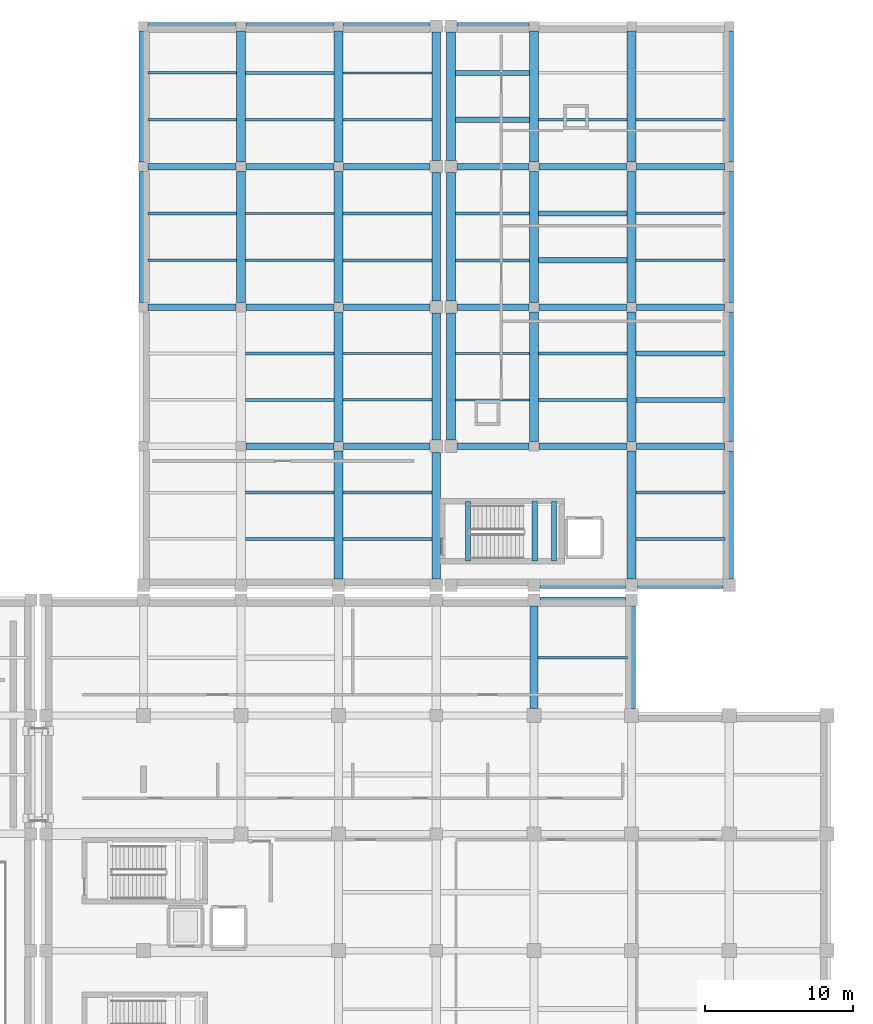
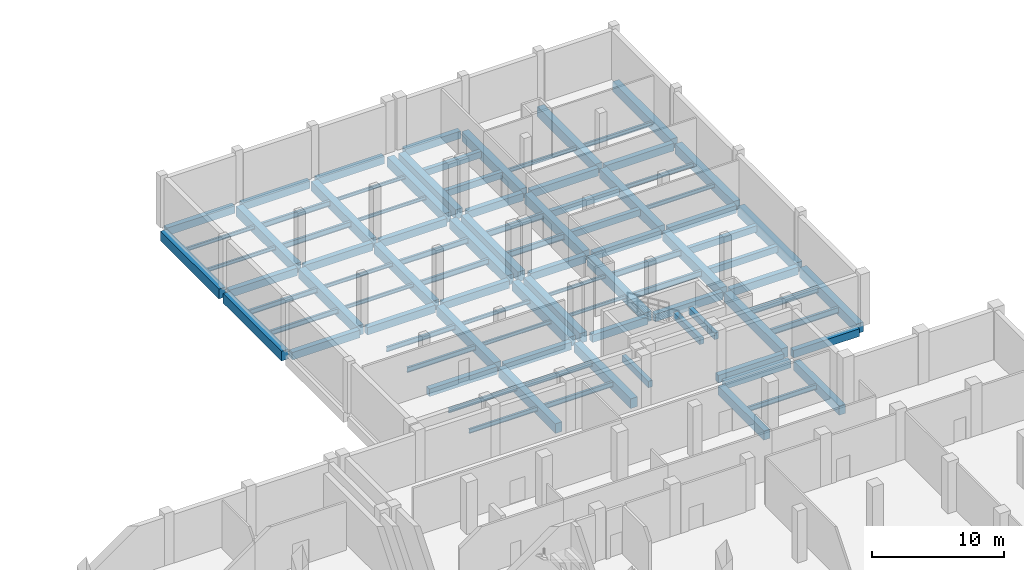
# One storey, part 9 of 31: 94 beams.
"""IFC4 building model written with IfcOpenShell, lengths in metres."""

import ifcopenshell
import ifcopenshell.guid

model = None  # the IFC model being written
_history = None  # IfcOwnerHistory: only IFC2X3 demands one
_inside = {}  # id of a spatial element -> (the spatial element, [elements in it])
_under = {}  # id of a project, library or spatial element -> (it, [spatial elements below it])
_declared = {}  # id of a project -> (the project, [libraries it declares])
_typed = {}  # id of a type object -> (the type object, [elements of that type])
_made_of = {}  # id of a material, layer set ... -> (it, [elements and type objects made of it])


def new_model(schema):
    """Start an empty IFC model of exactly this schema.

    Asked for "IFC4X3", IfcOpenShell would pick the latest addendum, in which some entities
    have other attributes; the version numbers below select the first issue.
    IFC2X3 requires an IfcOwnerHistory on every rooted entity: one is made here for all.
    """
    global model, _history
    if schema == "IFC4X3":
        model = ifcopenshell.file(schema_version=(4, 3, 0, 0))
    else:
        model = ifcopenshell.file(schema=schema)
    _inside.clear()
    _under.clear()
    _declared.clear()
    _typed.clear()
    _made_of.clear()
    _history = None
    if model.schema == "IFC2X3":
        org = make("IfcOrganization", Name="unknown")
        user = make(
            "IfcPersonAndOrganization",
            ThePerson=make("IfcPerson", FamilyName="unknown"),
            TheOrganization=org,
        )
        app = make(
            "IfcApplication",
            ApplicationDeveloper=org,
            Version="unknown",
            ApplicationFullName="unknown",
            ApplicationIdentifier="unknown",
        )
        _history = make(
            "IfcOwnerHistory",
            OwningUser=user,
            OwningApplication=app,
            ChangeAction="ADDED",
            CreationDate=0,
        )
    return model


def make(cls, **values):
    """One entity of the class cls with the attributes given. An attribute that is None is left unset."""
    return model.create_entity(
        cls, **{name: value for name, value in values.items() if value is not None}
    )


def rooted(cls, **values):
    """An entity with a GlobalId (a new one), such as an element, a storey or a relation."""
    return make(cls, GlobalId=ifcopenshell.guid.new(), OwnerHistory=_history, **values)


def si_unit(unit_type, name, prefix=None):
    """IfcSIUnit, for example si_unit("LENGTHUNIT", "METRE", prefix="MILLI")."""
    return make("IfcSIUnit", UnitType=unit_type, Prefix=prefix, Name=name)


def assignment(units):
    """IfcUnitAssignment: the units of a project."""
    return None if units is None else make("IfcUnitAssignment", Units=units)


def point(xyz):
    """IfcCartesianPoint."""
    return None if xyz is None else make("IfcCartesianPoint", Coordinates=xyz)


def direction(xyz):
    """IfcDirection."""
    return None if xyz is None else make("IfcDirection", DirectionRatios=xyz)


def frame(location, z_axis=None, x_axis=None):
    """IfcAxis2Placement3D, a coordinate frame: its origin and axes. An axis left out is left unset."""
    return make(
        "IfcAxis2Placement3D",
        Location=point(location),
        Axis=direction(z_axis),
        RefDirection=direction(x_axis),
    )


def frame_2d(location, x_axis=None):
    """IfcAxis2Placement2D, a coordinate frame in the plane: its origin and x axis."""
    return make(
        "IfcAxis2Placement2D", Location=point(location), RefDirection=direction(x_axis)
    )


def origin():
    """The frame at (0, 0, 0) with its axes left unset."""
    return frame((0.0, 0.0, 0.0))


def origin_2d():
    """The frame at (0, 0) in the plane with its x axis left unset."""
    return frame_2d((0.0, 0.0))


def place(relative_to, where):
    """IfcLocalPlacement: puts the frame where relative to a parent placement (None: the world)."""
    return make(
        "IfcLocalPlacement", PlacementRelTo=relative_to, RelativePlacement=where
    )


def context(
    kind, dimensions, precision=None, world=None, true_north=None, identifier=None
):
    """IfcGeometricRepresentationContext, for example the 3D "Model" context."""
    return make(
        "IfcGeometricRepresentationContext",
        ContextIdentifier=identifier,
        ContextType=kind,
        CoordinateSpaceDimension=dimensions,
        Precision=precision,
        WorldCoordinateSystem=world,
        TrueNorth=true_north,
    )


def subcontext(parent, identifier, kind, view, scale=None):
    """IfcGeometricRepresentationSubContext, for example "Body" below "Model"."""
    return make(
        "IfcGeometricRepresentationSubContext",
        ContextIdentifier=identifier,
        ContextType=kind,
        ParentContext=parent,
        TargetScale=scale,
        TargetView=view,
    )


def project(units=None, contexts=None):
    """IfcProject with its units and contexts."""
    return rooted(
        "IfcProject",
        Name="project",
        RepresentationContexts=contexts,
        UnitsInContext=assignment(units),
    )


def spatial(cls, under=None, at=None, **own):
    """A site, building, storey or space (cls), placed at a placement, below another one or the project."""
    s = rooted(cls, ObjectPlacement=at, **own)
    if under is not None:
        _under.setdefault(under.id(), (under, []))[1].append(s)
    return s


def profile(cls, at=None, kind="AREA", **sizes):
    """A parametric profile (cls). Its sizes go by their IFC names, for example OverallWidth=200.0."""
    return make(cls, ProfileType=kind, Position=at, **sizes)


def rectangle(**sizes):
    """IfcRectangleProfileDef."""
    return profile("IfcRectangleProfileDef", **sizes)


def i_section(**sizes):
    """IfcIShapeProfileDef."""
    return profile("IfcIShapeProfileDef", **sizes)


def extrude(swept, where, along, depth):
    """IfcExtrudedAreaSolid: the profile swept, set in the frame where, extruded along a direction by depth."""
    return make(
        "IfcExtrudedAreaSolid",
        SweptArea=swept,
        Position=where,
        ExtrudedDirection=direction(along),
        Depth=depth,
    )


def shape(context_of_items, identifier, shape_type, items):
    """IfcShapeRepresentation: the items that make up one representation, for example the "Body"."""
    return make(
        "IfcShapeRepresentation",
        ContextOfItems=context_of_items,
        RepresentationIdentifier=identifier,
        RepresentationType=shape_type,
        Items=items,
    )


def material(Name=None, Category=None):
    """IfcMaterial."""
    return make("IfcMaterial", Name=Name, Category=Category)


def material_profile(
    of_material, cross_section, Name=None, Category=None, Priority=None
):
    """IfcMaterialProfile: a cross section and its material."""
    return make(
        "IfcMaterialProfile",
        Name=Name,
        Material=of_material,
        Profile=cross_section,
        Priority=Priority,
        Category=Category,
    )


def profile_set(profiles, Name=None, composite=None):
    """IfcMaterialProfileSet."""
    return make(
        "IfcMaterialProfileSet",
        Name=Name,
        MaterialProfiles=profiles,
        CompositeProfile=composite,
    )


def made_of(thing, what):
    """Note that an element or type object is made of a material, layer set ...; save() writes the relation."""
    if what is not None:
        _made_of.setdefault(what.id(), (what, []))[1].append(thing)
    return thing


def type_object(cls, material=None, **own):
    """A type object (cls), such as IfcWallType, which elements share."""
    return made_of(rooted(cls, **own), material)


def element(
    cls,
    number,
    at=None,
    inside=None,
    cuts=None,
    type_object=None,
    material=None,
    context=None,
    identifier="Body",
    shape_type=None,
    held_by="IfcProductDefinitionShape",
    body=None,
    shapes=None,
    **own,
):
    """One element of the class cls, such as IfcWall. Its Tag is "e" and its number.

    at: its placement. inside: the storey or other place that contains it. cuts: it is an
    opening in that element (IfcRelVoidsElement). A single representation is given by context,
    identifier, shape_type and body (its items); several are given by shapes. held_by: the class
    of the entity that holds the representations. save() writes the other relations.
    """
    e = rooted(cls, Tag="e%d" % number, ObjectPlacement=at, **own)
    if body is not None:
        shapes = [shape(context, identifier, shape_type, body)]
    if shapes is not None:
        e.Representation = make(held_by, Representations=shapes)
    if inside is not None:
        _inside.setdefault(inside.id(), (inside, []))[1].append(e)
    if cuts is not None:
        rooted(
            "IfcRelVoidsElement", RelatingBuildingElement=cuts, RelatedOpeningElement=e
        )
    if type_object is not None:
        _typed.setdefault(type_object.id(), (type_object, []))[1].append(e)
    return made_of(e, material)


def aggregate(whole, parts):
    """IfcRelAggregates: a whole, such as a stair, and the parts it consists of."""
    return rooted("IfcRelAggregates", RelatingObject=whole, RelatedObjects=parts)


def save(model, path):
    """Write the relations noted so far, then the file.

    IfcRelAggregates (storeys below a building ...), IfcRelContainedInSpatialStructure (elements
    in a storey), IfcRelDefinesByType, IfcRelAssociatesMaterial and IfcRelDeclares: one each for
    every whole, place, type object, material and project.
    """
    for whole, parts in _under.values():
        aggregate(whole, parts)
    for where, things in _inside.values():
        rooted(
            "IfcRelContainedInSpatialStructure",
            RelatedElements=things,
            RelatingStructure=where,
        )
    for kind, things in _typed.values():
        rooted("IfcRelDefinesByType", RelatedObjects=things, RelatingType=kind)
    for what, things in _made_of.values():
        rooted("IfcRelAssociatesMaterial", RelatedObjects=things, RelatingMaterial=what)
    for by, libraries in _declared.values():
        rooted("IfcRelDeclares", RelatingContext=by, RelatedDefinitions=libraries)
    model.write(path)


model = new_model("IFC4")

# Units and contexts
model_context = context("Model", 3, precision=1e-05, world=origin(), true_north=direction((0.0, 1.0)))
body_context = subcontext(model_context, "Body", "Model", "MODEL_VIEW")
ifc_project = project(units=[si_unit("LENGTHUNIT", "METRE"), si_unit("AREAUNIT", "SQUARE_METRE"), si_unit("VOLUMEUNIT", "CUBIC_METRE"), si_unit("PLANEANGLEUNIT", "RADIAN"), si_unit("MASSUNIT", "GRAM", prefix="KILO")], contexts=[model_context])

# Site, building, storey
site_placement = place(None, origin())
site = spatial("IfcSite", under=ifc_project, at=site_placement, CompositionType="ELEMENT")
building_placement = place(site_placement, origin())
building = spatial("IfcBuilding", under=site, at=building_placement, Name="Kelarvand Opera House", CompositionType="ELEMENT")
storey_placement = place(building_placement, frame((0.0, 0.0, -4.800048828125)))
storey = spatial("IfcBuildingStorey", under=building, at=storey_placement, Name="B1", CompositionType="ELEMENT", Elevation=-4.800048828125)

# Beams
ifc_material_1 = material(Name="Concrete C35/45", Category="concrete")
ifc_material_profile_1 = material_profile(ifc_material_1, rectangle(XDim=0.35009765625, YDim=0.60009765625, at=origin_2d()), Name="RC 350x600", Category="concrete")
ifc_profile_set_1 = profile_set([ifc_material_profile_1], Name="Concrete C35/45")
beam_type_1 = type_object("IfcBeamType", Name="Structural Beam RC 350x600 BM-RC350x600", PredefinedType="BEAM", material=ifc_profile_set_1)
for number, where, z_axis, x_axis, name in (
    (1, (116.699951171875, 118.666748046875, -0.599853515625), (1.0, 0.0, 0.0), (0.0, 1.0, 0.0), "V5 B1 Beam BM-RC350x600"),
    (2, (116.699951171875, 121.833251953125, -0.599853515625), (1.0, 0.0, 0.0), (0.0, 1.0, 0.0), "V5 B1 Beam BM-RC350x600"),
):
    element("IfcBeam", number, at=place(storey_placement, frame(where, z_axis=z_axis, x_axis=x_axis)), inside=storey, type_object=beam_type_1, Name=name, PredefinedType="BEAM", context=body_context, shape_type="SweptSolid", body=[
        extrude(rectangle(XDim=0.35009765625, YDim=0.60009765625, at=origin_2d()), origin(), (0.0, 0.0, 1.0), 5.0),
    ])
for number, where, z_axis, x_axis, name in (
    (3, (122.300048828125, 109.166748046875, -0.599853515625), (1.0, 0.0, 0.0), (0.0, 1.0, 0.0), "V5 B1 Beam BM-RC350x600"),
    (4, (122.300048828125, 112.333251953125, -0.599853515625), (1.0, 0.0, 0.0), (0.0, 1.0, 0.0), "V5 B1 Beam BM-RC350x600"),
    (5, (128.89990234375, 99.7333984375, -0.599853515625), (1.0, 0.0, 0.0), (0.0, 1.0, 0.0), "V5 B1 Beam BM-RC350x600"),
    (6, (128.89990234375, 102.86669921875, -0.599853515625), (1.0, 0.0, 0.0), (0.0, 1.0, 0.0), "V5 B1 Beam BM-RC350x600"),
):
    element("IfcBeam", number, at=place(storey_placement, frame(where, z_axis=z_axis, x_axis=x_axis)), inside=storey, type_object=beam_type_1, Name=name, PredefinedType="BEAM", context=body_context, shape_type="SweptSolid", body=[
        extrude(rectangle(XDim=0.35009765625, YDim=0.60009765625, at=origin_2d()), origin(), (0.0, 0.0, 1.0), 6.0),
    ])
for number, where, z_axis, x_axis, name in (
    (7, (117.5400390625, 88.85009765625, -0.52001953125), (0.0, 1.0, 0.0), (-1.0, 0.0, 0.0), "C7 Stair Landing Support Beam B1"),
    (8, (122.050048828125, 88.85009765625, 1.900146484375), (0.0, 1.0, 0.0), (-1.0, 0.0, 0.0), "C7 Stair Half-Landing Beam 1 B1"),
    (9, (123.35009765625, 88.85009765625, 1.900146484375), (0.0, 1.0, 0.0), (-1.0, 0.0, 0.0), "C7 Stair Half-Landing Beam 2 B1"),
):
    element("IfcBeam", number, at=place(storey_placement, frame(where, z_axis=z_axis, x_axis=x_axis)), inside=storey, type_object=beam_type_1, Name=name, PredefinedType="BEAM", context=body_context, shape_type="SweptSolid", body=[
        extrude(rectangle(XDim=0.35009765625, YDim=0.60009765625, at=origin_2d()), origin(), (0.0, 0.0, 1.0), 4.0),
    ])
ifc_material_2 = material(Name="Concrete C40/50", Category="concrete")
ifc_material_profile_2 = material_profile(ifc_material_2, rectangle(XDim=0.449951171875, YDim=0.699951171875, at=origin_2d()), Name="RC 450x700", Category="concrete")
ifc_profile_set_2 = profile_set([ifc_material_profile_2], Name="Concrete C40/50")
beam_type_2 = type_object("IfcBeamType", Name="Structural Beam RC 450x700 BM-RC450x700", PredefinedType="BEAM", material=ifc_profile_set_2)
for number, where, z_axis, x_axis, name in (
    (10, (122.409912109375, 86.199951171875, -0.64990234375), (1.0, 0.0, 0.0), (0.0, 1.0, 0.0), "V1 B1 Beam BM-RC450x700"),
    (11, (122.409912109375, 87.199951171875, -0.64990234375), (1.0, 0.0, 0.0), (0.0, 1.0, 0.0), "V5 B1 Beam BM-RC450x700"),
    (12, (129.010009765625, 87.199951171875, -0.64990234375), (1.0, 0.0, 0.0), (0.0, 1.0, 0.0), "V5 B1 Beam BM-RC450x700"),
):
    element("IfcBeam", number, at=place(storey_placement, frame(where, z_axis=z_axis, x_axis=x_axis)), inside=storey, type_object=beam_type_2, Name=name, PredefinedType="BEAM", context=body_context, shape_type="SweptSolid", body=[
        extrude(rectangle(XDim=0.449951171875, YDim=0.699951171875, at=origin_2d()), origin(), (0.0, 0.0, 1.0), 5.780029296875),
    ])
beam_1_placement = place(storey_placement, frame((102.52490234375, 96.60009765625, -0.64990234375), z_axis=(1.0, 0.0, 0.0), x_axis=(0.0, 1.0, 0.0)))
element("IfcBeam", 13, at=beam_1_placement, inside=storey, type_object=beam_type_2, Name="V5 B1 Beam BM-RC450x700", PredefinedType="BEAM", context=body_context, shape_type="SweptSolid", body=[
    extrude(rectangle(XDim=0.449951171875, YDim=0.699951171875, at=origin_2d()), origin(), (0.0, 0.0, 1.0), 5.9501953125),
])
beam_2_placement = place(storey_placement, frame((109.125, 96.60009765625, -0.64990234375), z_axis=(1.0, 0.0, 0.0), x_axis=(0.0, 1.0, 0.0)))
element("IfcBeam", 14, at=beam_2_placement, inside=storey, type_object=beam_type_2, Name="V5 B1 Beam BM-RC450x700", PredefinedType="BEAM", context=body_context, shape_type="SweptSolid", body=[
    extrude(rectangle(XDim=0.449951171875, YDim=0.699951171875, at=origin_2d()), origin(), (0.0, 0.0, 1.0), 5.864990234375),
])
beam_3_placement = place(storey_placement, frame((116.81005859375, 96.60009765625, -0.64990234375), z_axis=(1.0, 0.0, 0.0), x_axis=(0.0, 1.0, 0.0)))
element("IfcBeam", 15, at=beam_3_placement, inside=storey, type_object=beam_type_2, Name="V5 B1 Beam BM-RC450x700", PredefinedType="BEAM", context=body_context, shape_type="SweptSolid", body=[
    extrude(rectangle(XDim=0.449951171875, YDim=0.699951171875, at=origin_2d()), origin(), (0.0, 0.0, 1.0), 4.864990234375),
])
for number, where, z_axis, x_axis, name in (
    (16, (122.324951171875, 96.60009765625, -0.64990234375), (1.0, 0.0, 0.0), (0.0, 1.0, 0.0), "V5 B1 Beam BM-RC450x700"),
    (17, (128.925048828125, 96.60009765625, -0.64990234375), (1.0, 0.0, 0.0), (0.0, 1.0, 0.0), "V5 B1 Beam BM-RC450x700"),
    (18, (95.925048828125, 106.0, -0.64990234375), (1.0, 0.0, 0.0), (0.0, 1.0, 0.0), "V5 B1 Beam BM-RC450x700"),
):
    element("IfcBeam", number, at=place(storey_placement, frame(where, z_axis=z_axis, x_axis=x_axis)), inside=storey, type_object=beam_type_2, Name=name, PredefinedType="BEAM", context=body_context, shape_type="SweptSolid", body=[
        extrude(rectangle(XDim=0.449951171875, YDim=0.699951171875, at=origin_2d()), origin(), (0.0, 0.0, 1.0), 5.949951171875),
    ])
beam_4_placement = place(storey_placement, frame((102.52490234375, 106.0, -0.64990234375), z_axis=(1.0, 0.0, 0.0), x_axis=(0.0, 1.0, 0.0)))
element("IfcBeam", 19, at=beam_4_placement, inside=storey, type_object=beam_type_2, Name="V5 B1 Beam BM-RC450x700", PredefinedType="BEAM", context=body_context, shape_type="SweptSolid", body=[
    extrude(rectangle(XDim=0.449951171875, YDim=0.699951171875, at=origin_2d()), origin(), (0.0, 0.0, 1.0), 5.9501953125),
])
beam_5_placement = place(storey_placement, frame((109.125, 106.0, -0.64990234375), z_axis=(1.0, 0.0, 0.0), x_axis=(0.0, 1.0, 0.0)))
element("IfcBeam", 20, at=beam_5_placement, inside=storey, type_object=beam_type_2, Name="V5 B1 Beam BM-RC450x700", PredefinedType="BEAM", context=body_context, shape_type="SweptSolid", body=[
    extrude(rectangle(XDim=0.449951171875, YDim=0.699951171875, at=origin_2d()), origin(), (0.0, 0.0, 1.0), 5.864990234375),
])
beam_6_placement = place(storey_placement, frame((116.81005859375, 106.0, -0.64990234375), z_axis=(1.0, 0.0, 0.0), x_axis=(0.0, 1.0, 0.0)))
element("IfcBeam", 21, at=beam_6_placement, inside=storey, type_object=beam_type_2, Name="V5 B1 Beam BM-RC450x700", PredefinedType="BEAM", context=body_context, shape_type="SweptSolid", body=[
    extrude(rectangle(XDim=0.449951171875, YDim=0.699951171875, at=origin_2d()), origin(), (0.0, 0.0, 1.0), 4.864990234375),
])
for number, where, z_axis, x_axis, name in (
    (22, (122.324951171875, 106.0, -0.64990234375), (1.0, 0.0, 0.0), (0.0, 1.0, 0.0), "V5 B1 Beam BM-RC450x700"),
    (23, (128.925048828125, 106.0, -0.64990234375), (1.0, 0.0, 0.0), (0.0, 1.0, 0.0), "V5 B1 Beam BM-RC450x700"),
    (24, (95.925048828125, 115.5, -0.64990234375), (1.0, 0.0, 0.0), (0.0, 1.0, 0.0), "V5 B1 Beam BM-RC450x700"),
):
    element("IfcBeam", number, at=place(storey_placement, frame(where, z_axis=z_axis, x_axis=x_axis)), inside=storey, type_object=beam_type_2, Name=name, PredefinedType="BEAM", context=body_context, shape_type="SweptSolid", body=[
        extrude(rectangle(XDim=0.449951171875, YDim=0.699951171875, at=origin_2d()), origin(), (0.0, 0.0, 1.0), 5.949951171875),
    ])
beam_7_placement = place(storey_placement, frame((102.52490234375, 115.5, -0.64990234375), z_axis=(1.0, 0.0, 0.0), x_axis=(0.0, 1.0, 0.0)))
element("IfcBeam", 25, at=beam_7_placement, inside=storey, type_object=beam_type_2, Name="V5 B1 Beam BM-RC450x700", PredefinedType="BEAM", context=body_context, shape_type="SweptSolid", body=[
    extrude(rectangle(XDim=0.449951171875, YDim=0.699951171875, at=origin_2d()), origin(), (0.0, 0.0, 1.0), 5.9501953125),
])
beam_8_placement = place(storey_placement, frame((109.125, 115.5, -0.64990234375), z_axis=(1.0, 0.0, 0.0), x_axis=(0.0, 1.0, 0.0)))
element("IfcBeam", 26, at=beam_8_placement, inside=storey, type_object=beam_type_2, Name="V5 B1 Beam BM-RC450x700", PredefinedType="BEAM", context=body_context, shape_type="SweptSolid", body=[
    extrude(rectangle(XDim=0.449951171875, YDim=0.699951171875, at=origin_2d()), origin(), (0.0, 0.0, 1.0), 5.864990234375),
])
beam_9_placement = place(storey_placement, frame((116.81005859375, 115.5, -0.64990234375), z_axis=(1.0, 0.0, 0.0), x_axis=(0.0, 1.0, 0.0)))
element("IfcBeam", 27, at=beam_9_placement, inside=storey, type_object=beam_type_2, Name="V5 B1 Beam BM-RC450x700", PredefinedType="BEAM", context=body_context, shape_type="SweptSolid", body=[
    extrude(rectangle(XDim=0.449951171875, YDim=0.699951171875, at=origin_2d()), origin(), (0.0, 0.0, 1.0), 4.864990234375),
])
for number, where, z_axis, x_axis, name in (
    (28, (122.324951171875, 115.5, -0.64990234375), (1.0, 0.0, 0.0), (0.0, 1.0, 0.0), "V5 B1 Beam BM-RC450x700"),
    (29, (128.925048828125, 115.5, -0.64990234375), (1.0, 0.0, 0.0), (0.0, 1.0, 0.0), "V5 B1 Beam BM-RC450x700"),
    (30, (95.925048828125, 125.0, -0.64990234375), (1.0, 0.0, 0.0), (0.0, 1.0, 0.0), "V5 B1 Beam BM-RC450x700"),
):
    element("IfcBeam", number, at=place(storey_placement, frame(where, z_axis=z_axis, x_axis=x_axis)), inside=storey, type_object=beam_type_2, Name=name, PredefinedType="BEAM", context=body_context, shape_type="SweptSolid", body=[
        extrude(rectangle(XDim=0.449951171875, YDim=0.699951171875, at=origin_2d()), origin(), (0.0, 0.0, 1.0), 5.949951171875),
    ])
beam_10_placement = place(storey_placement, frame((102.52490234375, 125.0, -0.64990234375), z_axis=(1.0, 0.0, 0.0), x_axis=(0.0, 1.0, 0.0)))
element("IfcBeam", 31, at=beam_10_placement, inside=storey, type_object=beam_type_2, Name="V5 B1 Beam BM-RC450x700", PredefinedType="BEAM", context=body_context, shape_type="SweptSolid", body=[
    extrude(rectangle(XDim=0.449951171875, YDim=0.699951171875, at=origin_2d()), origin(), (0.0, 0.0, 1.0), 5.9501953125),
])
beam_11_placement = place(storey_placement, frame((109.125, 125.0, -0.64990234375), z_axis=(1.0, 0.0, 0.0), x_axis=(0.0, 1.0, 0.0)))
element("IfcBeam", 32, at=beam_11_placement, inside=storey, type_object=beam_type_2, Name="V5 B1 Beam BM-RC450x700", PredefinedType="BEAM", context=body_context, shape_type="SweptSolid", body=[
    extrude(rectangle(XDim=0.449951171875, YDim=0.699951171875, at=origin_2d()), origin(), (0.0, 0.0, 1.0), 5.864990234375),
])
beam_12_placement = place(storey_placement, frame((116.81005859375, 125.0, -0.64990234375), z_axis=(1.0, 0.0, 0.0), x_axis=(0.0, 1.0, 0.0)))
element("IfcBeam", 33, at=beam_12_placement, inside=storey, type_object=beam_type_2, Name="V5 B1 Beam BM-RC450x700", PredefinedType="BEAM", context=body_context, shape_type="SweptSolid", body=[
    extrude(rectangle(XDim=0.449951171875, YDim=0.699951171875, at=origin_2d()), origin(), (0.0, 0.0, 1.0), 4.864990234375),
])
ifc_material_profile_3 = material_profile(ifc_material_2, rectangle(XDim=0.550048828125, YDim=0.85009765625, at=origin_2d()), Name="RC 550x850", Category="concrete")
ifc_profile_set_3 = profile_set([ifc_material_profile_3], Name="Concrete C40/50")
beam_type_3 = type_object("IfcBeamType", Name="Structural Beam RC 550x850 BM-RC550x850", PredefinedType="BEAM", material=ifc_profile_set_3)
for number, where, z_axis, x_axis, name in (
    (34, (122.0, 78.875, -0.724853515625), (0.0, 1.0, 0.0), (-1.0, 0.0, 0.0), "V1 B1 Beam BM-RC550x850"),
    (35, (128.60009765625, 78.875, -0.724853515625), (0.0, 1.0, 0.0), (-1.0, 0.0, 0.0), "V1 B1 Beam BM-RC550x850"),
):
    element("IfcBeam", number, at=place(storey_placement, frame(where, z_axis=z_axis, x_axis=x_axis)), inside=storey, type_object=beam_type_3, Name=name, PredefinedType="BEAM", context=body_context, shape_type="SweptSolid", body=[
        extrude(rectangle(XDim=0.550048828125, YDim=0.85009765625, at=origin_2d()), origin(), (0.0, 0.0, 1.0), 6.9150390625),
    ])
ifc_material_profile_4 = material_profile(ifc_material_2, rectangle(XDim=0.60009765625, YDim=0.89990234375, at=origin_2d()), Name="RC 600x900", Category="concrete")
ifc_profile_set_4 = profile_set([ifc_material_profile_4], Name="Concrete C40/50")
beam_type_4 = type_object("IfcBeamType", Name="Structural Beam RC 600x900 BM-RC600x900", PredefinedType="BEAM", material=ifc_profile_set_4)
for number, where, z_axis, x_axis, name in (
    (36, (95.60009765625, 106.324951171875, -0.75), (0.0, 1.0, 0.0), (-1.0, 0.0, 0.0), "V5 B1 Beam BM-RC600x900"),
    (37, (95.60009765625, 115.824951171875, -0.75), (0.0, 1.0, 0.0), (-1.0, 0.0, 0.0), "V5 B1 Beam BM-RC600x900"),
    (38, (102.199951171875, 106.324951171875, -0.75), (0.0, 1.0, 0.0), (-1.0, 0.0, 0.0), "V5 B1 Beam BM-RC600x900"),
    (39, (102.199951171875, 115.824951171875, -0.75), (0.0, 1.0, 0.0), (-1.0, 0.0, 0.0), "V5 B1 Beam BM-RC600x900"),
):
    element("IfcBeam", number, at=place(storey_placement, frame(where, z_axis=z_axis, x_axis=x_axis)), inside=storey, type_object=beam_type_4, Name=name, PredefinedType="BEAM", context=body_context, shape_type="SweptSolid", body=[
        extrude(rectangle(XDim=0.60009765625, YDim=0.89990234375, at=origin_2d()), origin(), (0.0, 0.0, 1.0), 8.85009765625),
    ])
beam_13_placement = place(storey_placement, frame((108.800048828125, 87.610107421875, -0.75), z_axis=(0.0, 1.0, 0.0), x_axis=(-1.0, 0.0, 0.0)))
element("IfcBeam", 40, at=beam_13_placement, inside=storey, type_object=beam_type_4, Name="V5 B1 Beam BM-RC600x900", PredefinedType="BEAM", context=body_context, shape_type="SweptSolid", body=[
    extrude(rectangle(XDim=0.60009765625, YDim=0.89990234375, at=origin_2d()), origin(), (0.0, 0.0, 1.0), 8.664794921875),
])
beam_14_placement = place(storey_placement, frame((108.800048828125, 96.925048828125, -0.75), z_axis=(0.0, 1.0, 0.0), x_axis=(-1.0, 0.0, 0.0)))
element("IfcBeam", 41, at=beam_14_placement, inside=storey, type_object=beam_type_4, Name="V5 B1 Beam BM-RC600x900", PredefinedType="BEAM", context=body_context, shape_type="SweptSolid", body=[
    extrude(rectangle(XDim=0.60009765625, YDim=0.89990234375, at=origin_2d()), origin(), (0.0, 0.0, 1.0), 8.75),
])
for number, where, z_axis, x_axis, name in (
    (42, (108.800048828125, 106.324951171875, -0.75), (0.0, 1.0, 0.0), (-1.0, 0.0, 0.0), "V5 B1 Beam BM-RC600x900"),
    (43, (108.800048828125, 115.824951171875, -0.75), (0.0, 1.0, 0.0), (-1.0, 0.0, 0.0), "V5 B1 Beam BM-RC600x900"),
):
    element("IfcBeam", number, at=place(storey_placement, frame(where, z_axis=z_axis, x_axis=x_axis)), inside=storey, type_object=beam_type_4, Name=name, PredefinedType="BEAM", context=body_context, shape_type="SweptSolid", body=[
        extrude(rectangle(XDim=0.60009765625, YDim=0.89990234375, at=origin_2d()), origin(), (0.0, 0.0, 1.0), 8.85009765625),
    ])
beam_15_placement = place(storey_placement, frame((115.39990234375, 87.610107421875, -0.75), z_axis=(0.0, 1.0, 0.0), x_axis=(-1.0, 0.0, 0.0)))
element("IfcBeam", 44, at=beam_15_placement, inside=storey, type_object=beam_type_4, Name="V5 B1 Beam BM-RC600x900", PredefinedType="BEAM", context=body_context, shape_type="SweptSolid", body=[
    extrude(rectangle(XDim=0.60009765625, YDim=0.89990234375, at=origin_2d()), origin(), (0.0, 0.0, 1.0), 8.579833984375),
])
beam_16_placement = place(storey_placement, frame((115.39990234375, 97.010009765625, -0.75), z_axis=(0.0, 1.0, 0.0), x_axis=(-1.0, 0.0, 0.0)))
element("IfcBeam", 45, at=beam_16_placement, inside=storey, type_object=beam_type_4, Name="V5 B1 Beam BM-RC600x900", PredefinedType="BEAM", context=body_context, shape_type="SweptSolid", body=[
    extrude(rectangle(XDim=0.60009765625, YDim=0.89990234375, at=origin_2d()), origin(), (0.0, 0.0, 1.0), 8.580078125),
])
for number, where, z_axis, x_axis, name in (
    (46, (115.39990234375, 106.409912109375, -0.75), (0.0, 1.0, 0.0), (-1.0, 0.0, 0.0), "V5 B1 Beam BM-RC600x900"),
    (47, (115.39990234375, 115.909912109375, -0.75), (0.0, 1.0, 0.0), (-1.0, 0.0, 0.0), "V5 B1 Beam BM-RC600x900"),
):
    element("IfcBeam", number, at=place(storey_placement, frame(where, z_axis=z_axis, x_axis=x_axis)), inside=storey, type_object=beam_type_4, Name=name, PredefinedType="BEAM", context=body_context, shape_type="SweptSolid", body=[
        extrude(rectangle(XDim=0.60009765625, YDim=0.89990234375, at=origin_2d()), origin(), (0.0, 0.0, 1.0), 8.68017578125),
    ])
beam_17_placement = place(storey_placement, frame((116.39990234375, 97.010009765625, -0.75), z_axis=(0.0, 1.0, 0.0), x_axis=(-1.0, 0.0, 0.0)))
element("IfcBeam", 48, at=beam_17_placement, inside=storey, type_object=beam_type_4, Name="V5 B1 Beam BM-RC600x900", PredefinedType="BEAM", context=body_context, shape_type="SweptSolid", body=[
    extrude(rectangle(XDim=0.60009765625, YDim=0.89990234375, at=origin_2d()), origin(), (0.0, 0.0, 1.0), 8.580078125),
])
for number, where, z_axis, x_axis, name in (
    (49, (116.39990234375, 106.409912109375, -0.75), (0.0, 1.0, 0.0), (-1.0, 0.0, 0.0), "V5 B1 Beam BM-RC600x900"),
    (50, (116.39990234375, 115.909912109375, -0.75), (0.0, 1.0, 0.0), (-1.0, 0.0, 0.0), "V5 B1 Beam BM-RC600x900"),
):
    element("IfcBeam", number, at=place(storey_placement, frame(where, z_axis=z_axis, x_axis=x_axis)), inside=storey, type_object=beam_type_4, Name=name, PredefinedType="BEAM", context=body_context, shape_type="SweptSolid", body=[
        extrude(rectangle(XDim=0.60009765625, YDim=0.89990234375, at=origin_2d()), origin(), (0.0, 0.0, 1.0), 8.68017578125),
    ])
beam_18_placement = place(storey_placement, frame((122.0, 96.925048828125, -0.75), z_axis=(0.0, 1.0, 0.0), x_axis=(-1.0, 0.0, 0.0)))
element("IfcBeam", 51, at=beam_18_placement, inside=storey, type_object=beam_type_4, Name="V5 B1 Beam BM-RC600x900", PredefinedType="BEAM", context=body_context, shape_type="SweptSolid", body=[
    extrude(rectangle(XDim=0.60009765625, YDim=0.89990234375, at=origin_2d()), origin(), (0.0, 0.0, 1.0), 8.75),
])
for number, where, z_axis, x_axis, name in (
    (52, (122.0, 106.324951171875, -0.75), (0.0, 1.0, 0.0), (-1.0, 0.0, 0.0), "V5 B1 Beam BM-RC600x900"),
    (53, (122.0, 115.824951171875, -0.75), (0.0, 1.0, 0.0), (-1.0, 0.0, 0.0), "V5 B1 Beam BM-RC600x900"),
):
    element("IfcBeam", number, at=place(storey_placement, frame(where, z_axis=z_axis, x_axis=x_axis)), inside=storey, type_object=beam_type_4, Name=name, PredefinedType="BEAM", context=body_context, shape_type="SweptSolid", body=[
        extrude(rectangle(XDim=0.60009765625, YDim=0.89990234375, at=origin_2d()), origin(), (0.0, 0.0, 1.0), 8.85009765625),
    ])
beam_19_placement = place(storey_placement, frame((128.60009765625, 87.610107421875, -0.75), z_axis=(0.0, 1.0, 0.0), x_axis=(-1.0, 0.0, 0.0)))
element("IfcBeam", 54, at=beam_19_placement, inside=storey, type_object=beam_type_4, Name="V5 B1 Beam BM-RC600x900", PredefinedType="BEAM", context=body_context, shape_type="SweptSolid", body=[
    extrude(rectangle(XDim=0.60009765625, YDim=0.89990234375, at=origin_2d()), origin(), (0.0, 0.0, 1.0), 8.664794921875),
])
beam_20_placement = place(storey_placement, frame((128.60009765625, 96.925048828125, -0.75), z_axis=(0.0, 1.0, 0.0), x_axis=(-1.0, 0.0, 0.0)))
element("IfcBeam", 55, at=beam_20_placement, inside=storey, type_object=beam_type_4, Name="V5 B1 Beam BM-RC600x900", PredefinedType="BEAM", context=body_context, shape_type="SweptSolid", body=[
    extrude(rectangle(XDim=0.60009765625, YDim=0.89990234375, at=origin_2d()), origin(), (0.0, 0.0, 1.0), 8.75),
])
for number, where, z_axis, x_axis, name in (
    (56, (128.60009765625, 106.324951171875, -0.75), (0.0, 1.0, 0.0), (-1.0, 0.0, 0.0), "V5 B1 Beam BM-RC600x900"),
    (57, (128.60009765625, 115.824951171875, -0.75), (0.0, 1.0, 0.0), (-1.0, 0.0, 0.0), "V5 B1 Beam BM-RC600x900"),
):
    element("IfcBeam", number, at=place(storey_placement, frame(where, z_axis=z_axis, x_axis=x_axis)), inside=storey, type_object=beam_type_4, Name=name, PredefinedType="BEAM", context=body_context, shape_type="SweptSolid", body=[
        extrude(rectangle(XDim=0.60009765625, YDim=0.89990234375, at=origin_2d()), origin(), (0.0, 0.0, 1.0), 8.85009765625),
    ])
beam_21_placement = place(storey_placement, frame((135.199951171875, 87.610107421875, -0.75), z_axis=(0.0, 1.0, 0.0), x_axis=(-1.0, 0.0, 0.0)))
element("IfcBeam", 58, at=beam_21_placement, inside=storey, type_object=beam_type_4, Name="V5 B1 Beam BM-RC600x900", PredefinedType="BEAM", context=body_context, shape_type="SweptSolid", body=[
    extrude(rectangle(XDim=0.60009765625, YDim=0.89990234375, at=origin_2d()), origin(), (0.0, 0.0, 1.0), 8.664794921875),
])
beam_22_placement = place(storey_placement, frame((135.199951171875, 96.925048828125, -0.75), z_axis=(0.0, 1.0, 0.0), x_axis=(-1.0, 0.0, 0.0)))
element("IfcBeam", 59, at=beam_22_placement, inside=storey, type_object=beam_type_4, Name="V5 B1 Beam BM-RC600x900", PredefinedType="BEAM", context=body_context, shape_type="SweptSolid", body=[
    extrude(rectangle(XDim=0.60009765625, YDim=0.89990234375, at=origin_2d()), origin(), (0.0, 0.0, 1.0), 8.75),
])
for number, where, z_axis, x_axis, name in (
    (60, (135.199951171875, 106.324951171875, -0.75), (0.0, 1.0, 0.0), (-1.0, 0.0, 0.0), "V5 B1 Beam BM-RC600x900"),
    (61, (135.199951171875, 115.824951171875, -0.75), (0.0, 1.0, 0.0), (-1.0, 0.0, 0.0), "V5 B1 Beam BM-RC600x900"),
):
    element("IfcBeam", number, at=place(storey_placement, frame(where, z_axis=z_axis, x_axis=x_axis)), inside=storey, type_object=beam_type_4, Name=name, PredefinedType="BEAM", context=body_context, shape_type="SweptSolid", body=[
        extrude(rectangle(XDim=0.60009765625, YDim=0.89990234375, at=origin_2d()), origin(), (0.0, 0.0, 1.0), 8.85009765625),
    ])
ifc_material_3 = material(Name="Steel S355", Category="steel")
ifc_material_profile_5 = material_profile(ifc_material_3, i_section(OverallWidth=0.14990234375, OverallDepth=0.300048828125, WebThickness=0.007080078125, FlangeThickness=0.0107421875, at=origin_2d()), Name="IPE 300", Category="steel")
ifc_profile_set_5 = profile_set([ifc_material_profile_5], Name="Steel S355")
beam_type_5 = type_object("IfcBeamType", Name="Structural Joist IPE 300 JS-IPE300", PredefinedType="JOIST", material=ifc_profile_set_5)
for number, where, z_axis, x_axis, name in (
    (62, (109.10009765625, 118.666748046875, -0.449951171875), (1.0, 0.0, 0.0), (0.0, 1.0, 0.0), "V5 B1 Beam JS-IPE300"),
    (63, (109.10009765625, 121.833251953125, -0.449951171875), (1.0, 0.0, 0.0), (0.0, 1.0, 0.0), "V5 B1 Beam JS-IPE300"),
):
    element("IfcBeam", number, at=place(storey_placement, frame(where, z_axis=z_axis, x_axis=x_axis)), inside=storey, type_object=beam_type_5, Name=name, PredefinedType="JOIST", context=body_context, shape_type="SweptSolid", body=[
        extrude(i_section(OverallWidth=0.14990234375, OverallDepth=0.300048828125, WebThickness=0.007080078125, FlangeThickness=0.0107421875, at=origin_2d()), origin(), (0.0, 0.0, 1.0), 6.0),
    ])
for number, where, z_axis, x_axis, name in (
    (64, (116.699951171875, 99.7333984375, -0.449951171875), (1.0, 0.0, 0.0), (0.0, 1.0, 0.0), "V5 B1 Beam JS-IPE300"),
    (65, (116.699951171875, 102.86669921875, -0.449951171875), (1.0, 0.0, 0.0), (0.0, 1.0, 0.0), "V5 B1 Beam JS-IPE300"),
):
    element("IfcBeam", number, at=place(storey_placement, frame(where, z_axis=z_axis, x_axis=x_axis)), inside=storey, type_object=beam_type_5, Name=name, PredefinedType="JOIST", context=body_context, shape_type="SweptSolid", body=[
        extrude(i_section(OverallWidth=0.14990234375, OverallDepth=0.300048828125, WebThickness=0.007080078125, FlangeThickness=0.0107421875, at=origin_2d()), origin(), (0.0, 0.0, 1.0), 5.0),
    ])
ifc_material_profile_6 = material_profile(ifc_material_3, i_section(OverallWidth=0.159912109375, OverallDepth=0.330078125, WebThickness=0.007568359375, FlangeThickness=0.011474609375, at=origin_2d()), Name="IPE 330", Category="steel")
ifc_profile_set_6 = profile_set([ifc_material_profile_6], Name="Steel S355")
beam_type_6 = type_object("IfcBeamType", Name="Structural Joist IPE 330 JS-IPE330", PredefinedType="JOIST", material=ifc_profile_set_6)
for number, where, z_axis, x_axis, name in (
    (66, (95.89990234375, 118.666748046875, -0.46484375), (1.0, 0.0, 0.0), (0.0, 1.0, 0.0), "V5 B1 Beam JS-IPE330"),
    (67, (95.89990234375, 121.833251953125, -0.46484375), (1.0, 0.0, 0.0), (0.0, 1.0, 0.0), "V5 B1 Beam JS-IPE330"),
    (68, (102.5, 109.166748046875, -0.46484375), (1.0, 0.0, 0.0), (0.0, 1.0, 0.0), "V5 B1 Beam JS-IPE330"),
    (69, (102.5, 112.333251953125, -0.46484375), (1.0, 0.0, 0.0), (0.0, 1.0, 0.0), "V5 B1 Beam JS-IPE330"),
    (70, (109.10009765625, 99.7333984375, -0.46484375), (1.0, 0.0, 0.0), (0.0, 1.0, 0.0), "V5 B1 Beam JS-IPE330"),
    (71, (109.10009765625, 102.86669921875, -0.46484375), (1.0, 0.0, 0.0), (0.0, 1.0, 0.0), "V5 B1 Beam JS-IPE330"),
):
    element("IfcBeam", number, at=place(storey_placement, frame(where, z_axis=z_axis, x_axis=x_axis)), inside=storey, type_object=beam_type_6, Name=name, PredefinedType="JOIST", context=body_context, shape_type="SweptSolid", body=[
        extrude(i_section(OverallWidth=0.159912109375, OverallDepth=0.330078125, WebThickness=0.007568359375, FlangeThickness=0.011474609375, at=origin_2d()), origin(), (0.0, 0.0, 1.0), 6.0),
    ])
ifc_material_profile_7 = material_profile(ifc_material_3, i_section(OverallWidth=0.169921875, OverallDepth=0.360107421875, WebThickness=0.008056640625, FlangeThickness=0.0126953125, at=origin_2d()), Name="IPE 360", Category="steel")
ifc_profile_set_7 = profile_set([ifc_material_profile_7], Name="Steel S355")
beam_type_7 = type_object("IfcBeamType", Name="Structural Joist IPE 360 JS-IPE360", PredefinedType="JOIST", material=ifc_profile_set_7)
for number, where, z_axis, x_axis, name in (
    (72, (122.300048828125, 118.666748046875, -0.47998046875), (1.0, 0.0, 0.0), (0.0, 1.0, 0.0), "V5 B1 Beam JS-IPE360"),
    (73, (128.89990234375, 109.166748046875, -0.47998046875), (1.0, 0.0, 0.0), (0.0, 1.0, 0.0), "V5 B1 Beam JS-IPE360"),
    (74, (128.89990234375, 112.333251953125, -0.47998046875), (1.0, 0.0, 0.0), (0.0, 1.0, 0.0), "V5 B1 Beam JS-IPE360"),
):
    element("IfcBeam", number, at=place(storey_placement, frame(where, z_axis=z_axis, x_axis=x_axis)), inside=storey, type_object=beam_type_7, Name=name, PredefinedType="JOIST", context=body_context, shape_type="SweptSolid", body=[
        extrude(i_section(OverallWidth=0.169921875, OverallDepth=0.360107421875, WebThickness=0.008056640625, FlangeThickness=0.0126953125, at=origin_2d()), origin(), (0.0, 0.0, 1.0), 6.0),
    ])
ifc_material_profile_8 = material_profile(ifc_material_3, i_section(OverallWidth=0.179931640625, OverallDepth=0.39990234375, WebThickness=0.008544921875, FlangeThickness=0.013427734375, at=origin_2d()), Name="IPE 400", Category="steel")
ifc_profile_set_8 = profile_set([ifc_material_profile_8], Name="Steel S355")
beam_type_8 = type_object("IfcBeamType", Name="Structural Joist IPE 400 JS-IPE400", PredefinedType="JOIST", material=ifc_profile_set_8)
for number, where, z_axis, x_axis, name in (
    (75, (102.5, 90.333251953125, -0.5), (1.0, 0.0, 0.0), (0.0, 1.0, 0.0), "V5 B1 Beam JS-IPE400"),
    (76, (102.5, 93.466796875, -0.5), (1.0, 0.0, 0.0), (0.0, 1.0, 0.0), "V5 B1 Beam JS-IPE400"),
    (77, (128.89990234375, 118.666748046875, -0.5), (1.0, 0.0, 0.0), (0.0, 1.0, 0.0), "V5 B1 Beam JS-IPE400"),
):
    element("IfcBeam", number, at=place(storey_placement, frame(where, z_axis=z_axis, x_axis=x_axis)), inside=storey, type_object=beam_type_8, Name=name, PredefinedType="JOIST", context=body_context, shape_type="SweptSolid", body=[
        extrude(i_section(OverallWidth=0.179931640625, OverallDepth=0.39990234375, WebThickness=0.008544921875, FlangeThickness=0.013427734375, at=origin_2d()), origin(), (0.0, 0.0, 1.0), 6.0),
    ])
ifc_material_profile_9 = material_profile(ifc_material_3, i_section(OverallWidth=0.18994140625, OverallDepth=0.449951171875, WebThickness=0.009521484375, FlangeThickness=0.0146484375, at=origin_2d()), Name="IPE 450", Category="steel")
ifc_profile_set_9 = profile_set([ifc_material_profile_9], Name="Steel S355")
beam_type_9 = type_object("IfcBeamType", Name="Structural Joist IPE 450 JS-IPE450", PredefinedType="JOIST", material=ifc_profile_set_9)
beam_23_placement = place(storey_placement, frame((122.27490234375, 82.300048828125, -0.52490234375), z_axis=(1.0, 0.0, 0.0), x_axis=(0.0, 1.0, 0.0)))
element("IfcBeam", 78, at=beam_23_placement, inside=storey, type_object=beam_type_9, Name="V1 B1 Beam JS-IPE450", PredefinedType="JOIST", context=body_context, shape_type="SweptSolid", body=[
    extrude(i_section(OverallWidth=0.18994140625, OverallDepth=0.449951171875, WebThickness=0.009521484375, FlangeThickness=0.0146484375, at=origin_2d()), origin(), (0.0, 0.0, 1.0), 6.050048828125),
])
for number, where, z_axis, x_axis, name in (
    (79, (95.89990234375, 109.166748046875, -0.52490234375), (1.0, 0.0, 0.0), (0.0, 1.0, 0.0), "V5 B1 Beam JS-IPE450"),
    (80, (95.89990234375, 112.333251953125, -0.52490234375), (1.0, 0.0, 0.0), (0.0, 1.0, 0.0), "V5 B1 Beam JS-IPE450"),
    (81, (102.5, 99.7333984375, -0.52490234375), (1.0, 0.0, 0.0), (0.0, 1.0, 0.0), "V5 B1 Beam JS-IPE450"),
    (82, (102.5, 102.86669921875, -0.52490234375), (1.0, 0.0, 0.0), (0.0, 1.0, 0.0), "V5 B1 Beam JS-IPE450"),
    (83, (109.10009765625, 90.333251953125, -0.52490234375), (1.0, 0.0, 0.0), (0.0, 1.0, 0.0), "V5 B1 Beam JS-IPE450"),
    (84, (109.10009765625, 93.466796875, -0.52490234375), (1.0, 0.0, 0.0), (0.0, 1.0, 0.0), "V5 B1 Beam JS-IPE450"),
):
    element("IfcBeam", number, at=place(storey_placement, frame(where, z_axis=z_axis, x_axis=x_axis)), inside=storey, type_object=beam_type_9, Name=name, PredefinedType="JOIST", context=body_context, shape_type="SweptSolid", body=[
        extrude(i_section(OverallWidth=0.18994140625, OverallDepth=0.449951171875, WebThickness=0.009521484375, FlangeThickness=0.0146484375, at=origin_2d()), origin(), (0.0, 0.0, 1.0), 6.0),
    ])
ifc_material_profile_10 = material_profile(ifc_material_3, i_section(OverallWidth=0.199951171875, OverallDepth=0.5, WebThickness=0.01025390625, FlangeThickness=0.01611328125, at=origin_2d()), Name="IPE 500", Category="steel")
ifc_profile_set_10 = profile_set([ifc_material_profile_10], Name="Steel S355")
beam_type_10 = type_object("IfcBeamType", Name="Structural Joist IPE 500 JS-IPE500", PredefinedType="JOIST", material=ifc_profile_set_10)
for number, where, z_axis, x_axis, name in (
    (85, (102.5, 118.666748046875, -0.550048828125), (1.0, 0.0, 0.0), (0.0, 1.0, 0.0), "V5 B1 Beam JS-IPE500"),
    (86, (102.5, 121.833251953125, -0.550048828125), (1.0, 0.0, 0.0), (0.0, 1.0, 0.0), "V5 B1 Beam JS-IPE500"),
    (87, (109.10009765625, 109.166748046875, -0.550048828125), (1.0, 0.0, 0.0), (0.0, 1.0, 0.0), "V5 B1 Beam JS-IPE500"),
    (88, (109.10009765625, 112.333251953125, -0.550048828125), (1.0, 0.0, 0.0), (0.0, 1.0, 0.0), "V5 B1 Beam JS-IPE500"),
):
    element("IfcBeam", number, at=place(storey_placement, frame(where, z_axis=z_axis, x_axis=x_axis)), inside=storey, type_object=beam_type_10, Name=name, PredefinedType="JOIST", context=body_context, shape_type="SweptSolid", body=[
        extrude(i_section(OverallWidth=0.199951171875, OverallDepth=0.5, WebThickness=0.01025390625, FlangeThickness=0.01611328125, at=origin_2d()), origin(), (0.0, 0.0, 1.0), 6.0),
    ])
ifc_material_profile_11 = material_profile(ifc_material_3, i_section(OverallWidth=0.2099609375, OverallDepth=0.550048828125, WebThickness=0.010986328125, FlangeThickness=0.01708984375, at=origin_2d()), Name="IPE 550", Category="steel")
ifc_profile_set_11 = profile_set([ifc_material_profile_11], Name="Steel S355")
beam_type_11 = type_object("IfcBeamType", Name="Structural Joist IPE 550 JS-IPE550", PredefinedType="JOIST", material=ifc_profile_set_11)
for number, where, z_axis, x_axis, name in (
    (89, (116.699951171875, 109.166748046875, -0.574951171875), (1.0, 0.0, 0.0), (0.0, 1.0, 0.0), "V5 B1 Beam JS-IPE550"),
    (90, (116.699951171875, 112.333251953125, -0.574951171875), (1.0, 0.0, 0.0), (0.0, 1.0, 0.0), "V5 B1 Beam JS-IPE550"),
):
    element("IfcBeam", number, at=place(storey_placement, frame(where, z_axis=z_axis, x_axis=x_axis)), inside=storey, type_object=beam_type_11, Name=name, PredefinedType="JOIST", context=body_context, shape_type="SweptSolid", body=[
        extrude(i_section(OverallWidth=0.2099609375, OverallDepth=0.550048828125, WebThickness=0.010986328125, FlangeThickness=0.01708984375, at=origin_2d()), origin(), (0.0, 0.0, 1.0), 5.0),
    ])
for number, where, z_axis, x_axis, name in (
    (91, (122.300048828125, 99.7333984375, -0.574951171875), (1.0, 0.0, 0.0), (0.0, 1.0, 0.0), "V5 B1 Beam JS-IPE550"),
    (92, (122.300048828125, 102.86669921875, -0.574951171875), (1.0, 0.0, 0.0), (0.0, 1.0, 0.0), "V5 B1 Beam JS-IPE550"),
    (93, (128.89990234375, 90.333251953125, -0.574951171875), (1.0, 0.0, 0.0), (0.0, 1.0, 0.0), "V5 B1 Beam JS-IPE550"),
    (94, (128.89990234375, 93.466796875, -0.574951171875), (1.0, 0.0, 0.0), (0.0, 1.0, 0.0), "V5 B1 Beam JS-IPE550"),
):
    element("IfcBeam", number, at=place(storey_placement, frame(where, z_axis=z_axis, x_axis=x_axis)), inside=storey, type_object=beam_type_11, Name=name, PredefinedType="JOIST", context=body_context, shape_type="SweptSolid", body=[
        extrude(i_section(OverallWidth=0.2099609375, OverallDepth=0.550048828125, WebThickness=0.010986328125, FlangeThickness=0.01708984375, at=origin_2d()), origin(), (0.0, 0.0, 1.0), 6.0),
    ])

save(model, "model.ifc")
